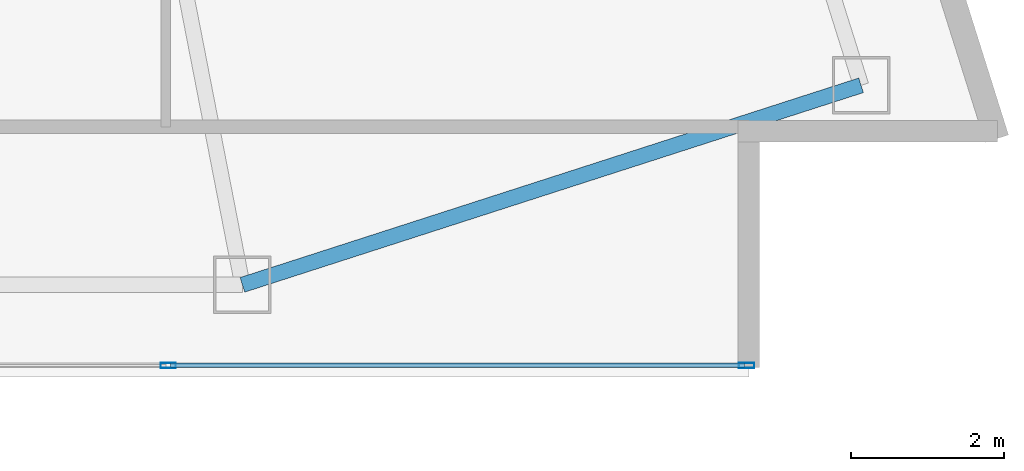
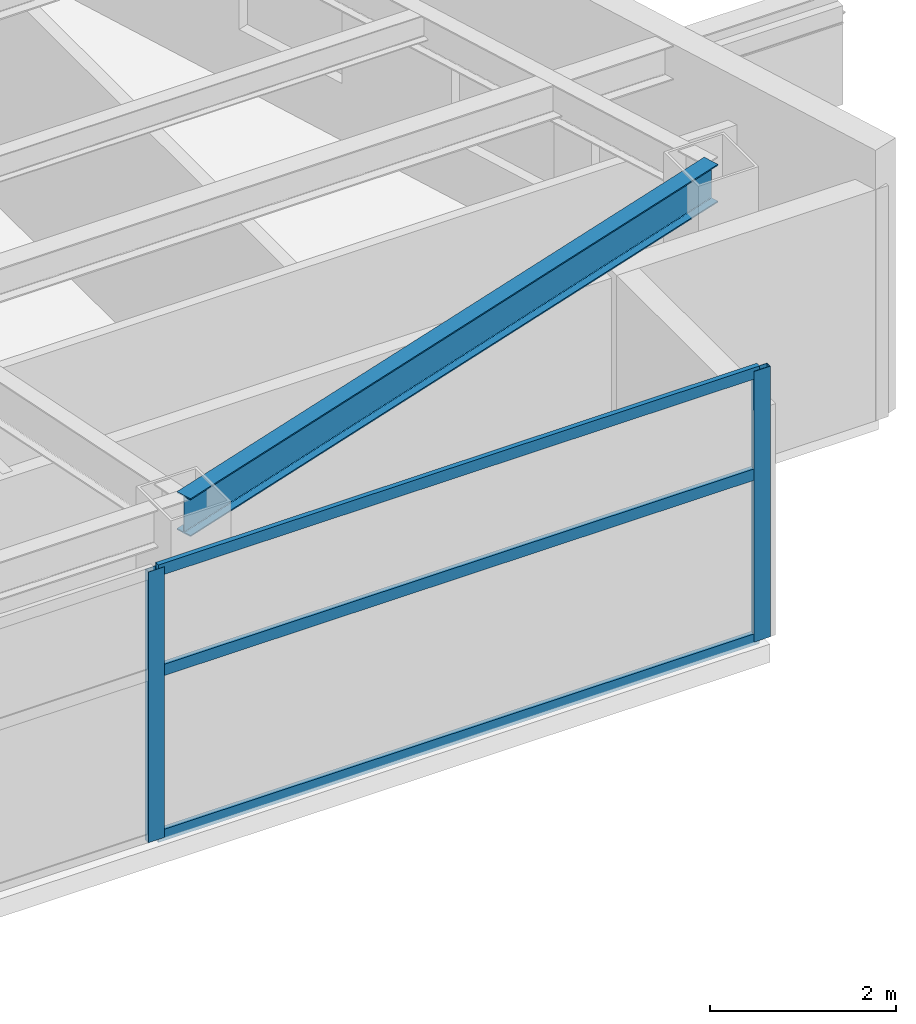
# One storey, part 14 of 29: 5 members, 1 beam, 1 element without a shape of its own.
"""IFC4 building model written with IfcOpenShell, lengths in metres."""

from ifc_helpers import new_model, si_unit, direction, frame, origin, origin_2d, place, context, subcontext, project, spatial, hollow_rectangle, i_section, extrude, material, layer, layer_set, material_profile, profile_set, type_object, element, aggregate, save


model = new_model("IFC4")

# Units and contexts
model_context = context("Model", 3, precision=1e-05, world=origin(), true_north=direction((0.0, 1.0)))
body_context = subcontext(model_context, "Body", "Model", "MODEL_VIEW")
ifc_project = project(units=[si_unit("LENGTHUNIT", "METRE"), si_unit("AREAUNIT", "SQUARE_METRE"), si_unit("VOLUMEUNIT", "CUBIC_METRE"), si_unit("PLANEANGLEUNIT", "RADIAN"), si_unit("MASSUNIT", "GRAM", prefix="KILO")], contexts=[model_context])

# Site, building, storey
site_placement = place(None, origin())
site = spatial("IfcSite", under=ifc_project, at=site_placement, CompositionType="ELEMENT")
building_placement = place(site_placement, origin())
building = spatial("IfcBuilding", under=site, at=building_placement, Name="Calvorn Quay Hotel", CompositionType="ELEMENT")
storey_placement = place(building_placement, frame((0.0, 0.0, 163.699951171875)))
storey = spatial("IfcBuildingStorey", under=building, at=storey_placement, Name="L40", CompositionType="ELEMENT", Elevation=163.699951171875)

# Beam
ifc_material_1 = material(Name="Steel Q355B", Category="steel")
ifc_material_profile_1 = material_profile(ifc_material_1, i_section(OverallWidth=0.199951171875, OverallDepth=0.5, WebThickness=0.010009765625, FlangeThickness=0.01611328125, FilletRadius=0.01611328125, at=origin_2d()), Name="HN500x200x10x16")
ifc_profile_set_1 = profile_set([ifc_material_profile_1], Name="Steel Q355B")
beam_type = type_object("IfcBeamType", Name="BM-SPANDREL-Z1", PredefinedType="SPANDREL", material=ifc_profile_set_1)
beam_placement = place(storey_placement, frame((49.39990234375, 3.60009765625, 3.2900390625), z_axis=(0.951725188386, 0.306951406237, 0.0), x_axis=(-0.306951406237, 0.951725188386, 0.0)))
element("IfcBeam", 1, at=beam_placement, inside=storey, type_object=beam_type, Name="Beam BSP-L40-S6", PredefinedType="SPANDREL", context=body_context, shape_type="SweptSolid", body=[
    extrude(i_section(OverallWidth=0.199951171875, OverallDepth=0.5, WebThickness=0.010009765625, FlangeThickness=0.01611328125, FilletRadius=0.01611328125, at=origin_2d()), origin(), (0.0, 0.0, 1.0), 8.469970703125),
])

# Curtain wall, members
ifc_material_2 = material(Name="Pale Anodised Aluminium and Low-E Glass", Category="aluminium")
ifc_layer = layer(ifc_material_2, 0.219970703125)
ifc_layer_set = layer_set([ifc_layer], Name="CW-SYS-Z2")
curtain_wall_type = type_object("IfcCurtainWallType", Name="CW-SYS-Z2", PredefinedType="NOTDEFINED", material=ifc_layer_set)
curtain_wall_placement = place(storey_placement, origin())
curtain_wall = element("IfcCurtainWall", 2, at=curtain_wall_placement, inside=storey, type_object=curtain_wall_type, Name="Tower South Waterfront Curtain Wall (L40)", PredefinedType="NOTDEFINED")
ifc_material_3 = material(Name="Pale Anodised Aluminium 6063-T6", Category="aluminium")
ifc_material_profile_2 = material_profile(ifc_material_3, hollow_rectangle(XDim=0.070068359375, YDim=0.199951171875, WallThickness=0.00390625, at=origin_2d()), Name="ALU-M200x70x4")
ifc_profile_set_2 = profile_set([ifc_material_profile_2], Name="Pale Anodised Aluminium 6063-T6")
member_type_1 = type_object("IfcMemberType", Name="CW-SYS-Z2-MUL", PredefinedType="MULLION", material=ifc_profile_set_2)
member_1_placement = place(storey_placement, frame((48.433349609375, 2.550048828125, 0.0), z_axis=(0.0, 0.0, 1.0), x_axis=(0.0, 1.0, 0.0)))
member_1 = element("IfcMember", 3, at=member_1_placement, type_object=member_type_1, Name="CW-L40-S mullion 6", PredefinedType="MULLION", context=body_context, shape_type="SweptSolid", body=[
    extrude(hollow_rectangle(XDim=0.070068359375, YDim=0.199951171875, WallThickness=0.00390625, at=origin_2d()), origin(), (0.0, 0.0, 1.0), 3.56005859375),
])
member_2_placement = place(storey_placement, frame((55.969970703125, 2.550048828125, 0.0), z_axis=(0.0, 0.0, 1.0), x_axis=(0.0, 1.0, 0.0)))
member_2 = element("IfcMember", 4, at=member_2_placement, type_object=member_type_1, Name="CW-L40-S mullion 7", PredefinedType="MULLION", context=body_context, shape_type="SweptSolid", body=[
    extrude(hollow_rectangle(XDim=0.070068359375, YDim=0.199951171875, WallThickness=0.00390625, at=origin_2d()), origin(), (0.0, 0.0, 1.0), 3.56005859375),
])
ifc_material_4 = material(Name="Pale Anodised Aluminium 6063-T6", Category="aluminium")
ifc_material_profile_3 = material_profile(ifc_material_4, hollow_rectangle(XDim=0.06005859375, YDim=0.14990234375, WallThickness=0.00341796875, at=origin_2d()), Name="ALU-T150x60x3.5")
ifc_profile_set_3 = profile_set([ifc_material_profile_3], Name="Pale Anodised Aluminium 6063-T6")
member_type_2 = type_object("IfcMemberType", Name="CW-SYS-Z2-TRN", PredefinedType="USERDEFINED", material=ifc_profile_set_3)
member_3_placement = place(storey_placement, frame((48.46337890625, 2.550048828125, 0.030029296875), z_axis=(1.0, 0.0, 0.0), x_axis=(0.0, 1.0, 0.0)))
member_3 = element("IfcMember", 5, at=member_3_placement, type_object=member_type_2, Name="CW-L40-S transom 6.1", ObjectType="TRANSOM", PredefinedType="USERDEFINED", context=body_context, shape_type="SweptSolid", body=[
    extrude(hollow_rectangle(XDim=0.06005859375, YDim=0.14990234375, WallThickness=0.00341796875, at=origin_2d()), origin(), (0.0, 0.0, 1.0), 7.4765625),
])
member_4_placement = place(storey_placement, frame((48.46337890625, 2.550048828125, 2.199951171875), z_axis=(1.0, 0.0, 0.0), x_axis=(0.0, 1.0, 0.0)))
member_4 = element("IfcMember", 6, at=member_4_placement, type_object=member_type_2, Name="CW-L40-S transom 6.2", ObjectType="TRANSOM", PredefinedType="USERDEFINED", context=body_context, shape_type="SweptSolid", body=[
    extrude(hollow_rectangle(XDim=0.06005859375, YDim=0.14990234375, WallThickness=0.00341796875, at=origin_2d()), origin(), (0.0, 0.0, 1.0), 7.4765625),
])
member_5_placement = place(storey_placement, frame((48.46337890625, 2.550048828125, 3.530029296875), z_axis=(1.0, 0.0, 0.0), x_axis=(0.0, 1.0, 0.0)))
member_5 = element("IfcMember", 7, at=member_5_placement, type_object=member_type_2, Name="CW-L40-S transom 6.3", ObjectType="TRANSOM", PredefinedType="USERDEFINED", context=body_context, shape_type="SweptSolid", body=[
    extrude(hollow_rectangle(XDim=0.06005859375, YDim=0.14990234375, WallThickness=0.00341796875, at=origin_2d()), origin(), (0.0, 0.0, 1.0), 7.4765625),
])
aggregate(curtain_wall, [member_1, member_2, member_3, member_4, member_5])

save(model, "model.ifc")
